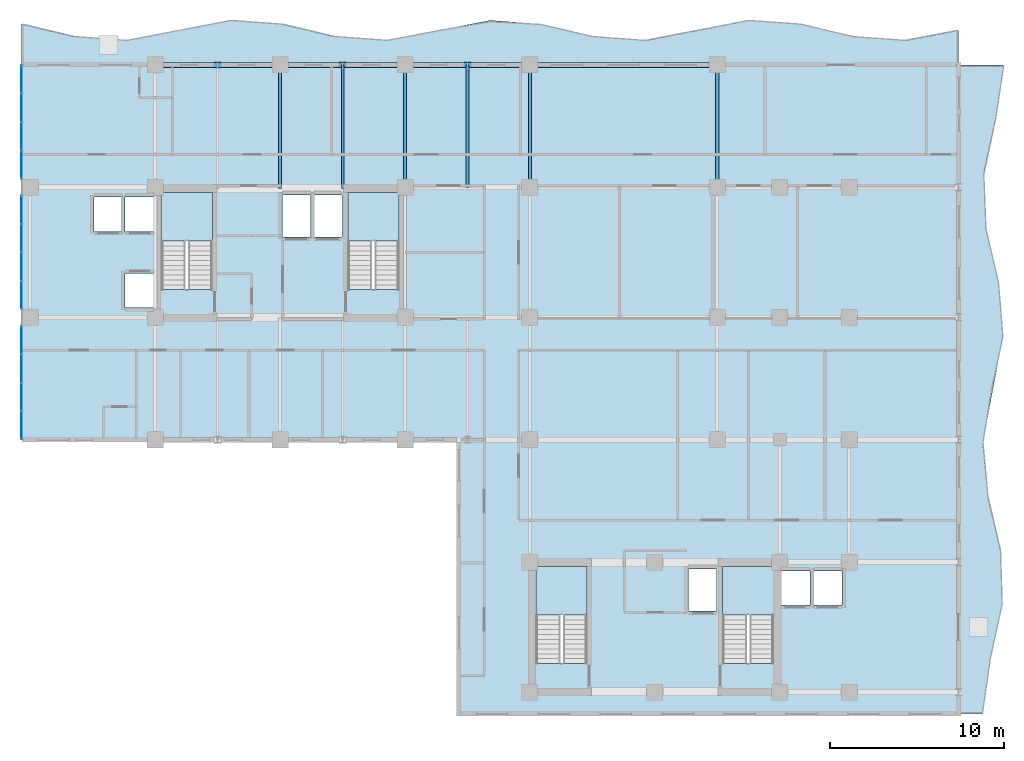
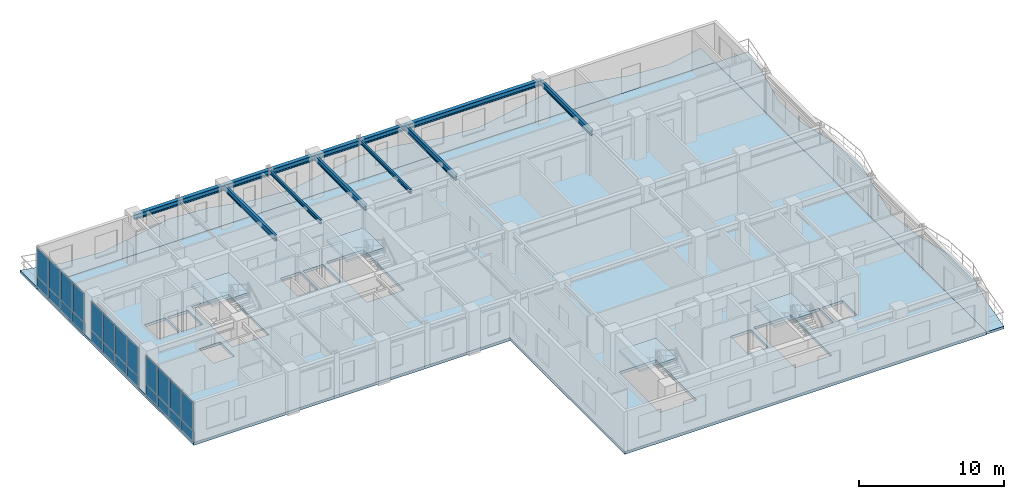
# One storey, part 11 of 20: 24 plates, 13 beams, 7 slabs, 7 elements without a shape of their own.
"""IFC4 building model written with IfcOpenShell, lengths in metres."""

import ifcopenshell
import ifcopenshell.guid

model = None  # the IFC model being written
_history = None  # IfcOwnerHistory: only IFC2X3 demands one
_inside = {}  # id of a spatial element -> (the spatial element, [elements in it])
_under = {}  # id of a project, library or spatial element -> (it, [spatial elements below it])
_declared = {}  # id of a project -> (the project, [libraries it declares])
_typed = {}  # id of a type object -> (the type object, [elements of that type])
_made_of = {}  # id of a material, layer set ... -> (it, [elements and type objects made of it])


def new_model(schema):
    """Start an empty IFC model of exactly this schema.

    Asked for "IFC4X3", IfcOpenShell would pick the latest addendum, in which some entities
    have other attributes; the version numbers below select the first issue.
    IFC2X3 requires an IfcOwnerHistory on every rooted entity: one is made here for all.
    """
    global model, _history
    if schema == "IFC4X3":
        model = ifcopenshell.file(schema_version=(4, 3, 0, 0))
    else:
        model = ifcopenshell.file(schema=schema)
    _inside.clear()
    _under.clear()
    _declared.clear()
    _typed.clear()
    _made_of.clear()
    _history = None
    if model.schema == "IFC2X3":
        org = make("IfcOrganization", Name="unknown")
        user = make(
            "IfcPersonAndOrganization",
            ThePerson=make("IfcPerson", FamilyName="unknown"),
            TheOrganization=org,
        )
        app = make(
            "IfcApplication",
            ApplicationDeveloper=org,
            Version="unknown",
            ApplicationFullName="unknown",
            ApplicationIdentifier="unknown",
        )
        _history = make(
            "IfcOwnerHistory",
            OwningUser=user,
            OwningApplication=app,
            ChangeAction="ADDED",
            CreationDate=0,
        )
    return model


def make(cls, **values):
    """One entity of the class cls with the attributes given. An attribute that is None is left unset."""
    return model.create_entity(
        cls, **{name: value for name, value in values.items() if value is not None}
    )


def rooted(cls, **values):
    """An entity with a GlobalId (a new one), such as an element, a storey or a relation."""
    return make(cls, GlobalId=ifcopenshell.guid.new(), OwnerHistory=_history, **values)


def si_unit(unit_type, name, prefix=None):
    """IfcSIUnit, for example si_unit("LENGTHUNIT", "METRE", prefix="MILLI")."""
    return make("IfcSIUnit", UnitType=unit_type, Prefix=prefix, Name=name)


def assignment(units):
    """IfcUnitAssignment: the units of a project."""
    return None if units is None else make("IfcUnitAssignment", Units=units)


def point(xyz):
    """IfcCartesianPoint."""
    return None if xyz is None else make("IfcCartesianPoint", Coordinates=xyz)


def direction(xyz):
    """IfcDirection."""
    return None if xyz is None else make("IfcDirection", DirectionRatios=xyz)


def frame(location, z_axis=None, x_axis=None):
    """IfcAxis2Placement3D, a coordinate frame: its origin and axes. An axis left out is left unset."""
    return make(
        "IfcAxis2Placement3D",
        Location=point(location),
        Axis=direction(z_axis),
        RefDirection=direction(x_axis),
    )


def frame_2d(location, x_axis=None):
    """IfcAxis2Placement2D, a coordinate frame in the plane: its origin and x axis."""
    return make(
        "IfcAxis2Placement2D", Location=point(location), RefDirection=direction(x_axis)
    )


def origin():
    """The frame at (0, 0, 0) with its axes left unset."""
    return frame((0.0, 0.0, 0.0))


def origin_2d():
    """The frame at (0, 0) in the plane with its x axis left unset."""
    return frame_2d((0.0, 0.0))


def place(relative_to, where):
    """IfcLocalPlacement: puts the frame where relative to a parent placement (None: the world)."""
    return make(
        "IfcLocalPlacement", PlacementRelTo=relative_to, RelativePlacement=where
    )


def context(
    kind, dimensions, precision=None, world=None, true_north=None, identifier=None
):
    """IfcGeometricRepresentationContext, for example the 3D "Model" context."""
    return make(
        "IfcGeometricRepresentationContext",
        ContextIdentifier=identifier,
        ContextType=kind,
        CoordinateSpaceDimension=dimensions,
        Precision=precision,
        WorldCoordinateSystem=world,
        TrueNorth=true_north,
    )


def subcontext(parent, identifier, kind, view, scale=None):
    """IfcGeometricRepresentationSubContext, for example "Body" below "Model"."""
    return make(
        "IfcGeometricRepresentationSubContext",
        ContextIdentifier=identifier,
        ContextType=kind,
        ParentContext=parent,
        TargetScale=scale,
        TargetView=view,
    )


def project(units=None, contexts=None):
    """IfcProject with its units and contexts."""
    return rooted(
        "IfcProject",
        Name="project",
        RepresentationContexts=contexts,
        UnitsInContext=assignment(units),
    )


def spatial(cls, under=None, at=None, **own):
    """A site, building, storey or space (cls), placed at a placement, below another one or the project."""
    s = rooted(cls, ObjectPlacement=at, **own)
    if under is not None:
        _under.setdefault(under.id(), (under, []))[1].append(s)
    return s


def polyline(points):
    """IfcPolyline through the points."""
    return make("IfcPolyline", Points=[point(p) for p in points])


def profile(cls, at=None, kind="AREA", **sizes):
    """A parametric profile (cls). Its sizes go by their IFC names, for example OverallWidth=200.0."""
    return make(cls, ProfileType=kind, Position=at, **sizes)


def rectangle(**sizes):
    """IfcRectangleProfileDef."""
    return profile("IfcRectangleProfileDef", **sizes)


def i_section(**sizes):
    """IfcIShapeProfileDef."""
    return profile("IfcIShapeProfileDef", **sizes)


def outline(outer, holes=None, kind="AREA"):
    """IfcArbitraryClosedProfileDef: a profile drawn as a closed curve; with holes, ...WithVoids."""
    if holes is None:
        return make("IfcArbitraryClosedProfileDef", ProfileType=kind, OuterCurve=outer)
    return make(
        "IfcArbitraryProfileDefWithVoids",
        ProfileType=kind,
        OuterCurve=outer,
        InnerCurves=holes,
    )


def extrude(swept, where, along, depth):
    """IfcExtrudedAreaSolid: the profile swept, set in the frame where, extruded along a direction by depth."""
    return make(
        "IfcExtrudedAreaSolid",
        SweptArea=swept,
        Position=where,
        ExtrudedDirection=direction(along),
        Depth=depth,
    )


def shape(context_of_items, identifier, shape_type, items):
    """IfcShapeRepresentation: the items that make up one representation, for example the "Body"."""
    return make(
        "IfcShapeRepresentation",
        ContextOfItems=context_of_items,
        RepresentationIdentifier=identifier,
        RepresentationType=shape_type,
        Items=items,
    )


def source(mapping_origin, context_of_items, identifier, shape_type, items):
    """IfcRepresentationMap: a shape defined once, which mapped items show again and again."""
    return make(
        "IfcRepresentationMap",
        MappingOrigin=mapping_origin,
        MappedRepresentation=shape(context_of_items, identifier, shape_type, items),
    )


def transform(
    local_origin,
    x_axis=None,
    y_axis=None,
    z_axis=None,
    scale=None,
    scale2=None,
    scale3=None,
    uniform=True,
):
    """IfcCartesianTransformationOperator3D, or its non-uniform kind. x_axis, y_axis, z_axis: its Axis1, 2, 3."""
    if uniform:
        return make(
            "IfcCartesianTransformationOperator3D",
            Axis1=direction(x_axis),
            Axis2=direction(y_axis),
            LocalOrigin=point(local_origin),
            Scale=scale,
            Axis3=direction(z_axis),
        )
    return make(
        "IfcCartesianTransformationOperator3DnonUniform",
        Axis1=direction(x_axis),
        Axis2=direction(y_axis),
        LocalOrigin=point(local_origin),
        Scale=scale,
        Axis3=direction(z_axis),
        Scale2=scale2,
        Scale3=scale3,
    )


def mapped(mapping_source, mapping_target):
    """IfcMappedItem: shows the shape of a source again, moved by a transform."""
    return make(
        "IfcMappedItem", MappingSource=mapping_source, MappingTarget=mapping_target
    )


def material(Name=None, Category=None):
    """IfcMaterial."""
    return make("IfcMaterial", Name=Name, Category=Category)


def layer(
    of_material, thickness, ventilated=None, Name=None, Category=None, Priority=None
):
    """IfcMaterialLayer: one layer of a wall or slab, of a material (None: an air gap)."""
    return make(
        "IfcMaterialLayer",
        Material=of_material,
        LayerThickness=thickness,
        IsVentilated=ventilated,
        Name=Name,
        Category=Category,
        Priority=Priority,
    )


def layer_set(layers, Name=None):
    """IfcMaterialLayerSet."""
    return make("IfcMaterialLayerSet", MaterialLayers=layers, LayerSetName=Name)


def material_profile(
    of_material, cross_section, Name=None, Category=None, Priority=None
):
    """IfcMaterialProfile: a cross section and its material."""
    return make(
        "IfcMaterialProfile",
        Name=Name,
        Material=of_material,
        Profile=cross_section,
        Priority=Priority,
        Category=Category,
    )


def profile_set(profiles, Name=None, composite=None):
    """IfcMaterialProfileSet."""
    return make(
        "IfcMaterialProfileSet",
        Name=Name,
        MaterialProfiles=profiles,
        CompositeProfile=composite,
    )


def made_of(thing, what):
    """Note that an element or type object is made of a material, layer set ...; save() writes the relation."""
    if what is not None:
        _made_of.setdefault(what.id(), (what, []))[1].append(thing)
    return thing


def type_object(cls, material=None, **own):
    """A type object (cls), such as IfcWallType, which elements share."""
    return made_of(rooted(cls, **own), material)


def element(
    cls,
    number,
    at=None,
    inside=None,
    cuts=None,
    type_object=None,
    material=None,
    context=None,
    identifier="Body",
    shape_type=None,
    held_by="IfcProductDefinitionShape",
    body=None,
    shapes=None,
    **own,
):
    """One element of the class cls, such as IfcWall. Its Tag is "e" and its number.

    at: its placement. inside: the storey or other place that contains it. cuts: it is an
    opening in that element (IfcRelVoidsElement). A single representation is given by context,
    identifier, shape_type and body (its items); several are given by shapes. held_by: the class
    of the entity that holds the representations. save() writes the other relations.
    """
    e = rooted(cls, Tag="e%d" % number, ObjectPlacement=at, **own)
    if body is not None:
        shapes = [shape(context, identifier, shape_type, body)]
    if shapes is not None:
        e.Representation = make(held_by, Representations=shapes)
    if inside is not None:
        _inside.setdefault(inside.id(), (inside, []))[1].append(e)
    if cuts is not None:
        rooted(
            "IfcRelVoidsElement", RelatingBuildingElement=cuts, RelatedOpeningElement=e
        )
    if type_object is not None:
        _typed.setdefault(type_object.id(), (type_object, []))[1].append(e)
    return made_of(e, material)


def aggregate(whole, parts):
    """IfcRelAggregates: a whole, such as a stair, and the parts it consists of."""
    return rooted("IfcRelAggregates", RelatingObject=whole, RelatedObjects=parts)


def save(model, path):
    """Write the relations noted so far, then the file.

    IfcRelAggregates (storeys below a building ...), IfcRelContainedInSpatialStructure (elements
    in a storey), IfcRelDefinesByType, IfcRelAssociatesMaterial and IfcRelDeclares: one each for
    every whole, place, type object, material and project.
    """
    for whole, parts in _under.values():
        aggregate(whole, parts)
    for where, things in _inside.values():
        rooted(
            "IfcRelContainedInSpatialStructure",
            RelatedElements=things,
            RelatingStructure=where,
        )
    for kind, things in _typed.values():
        rooted("IfcRelDefinesByType", RelatedObjects=things, RelatingType=kind)
    for what, things in _made_of.values():
        rooted("IfcRelAssociatesMaterial", RelatedObjects=things, RelatingMaterial=what)
    for by, libraries in _declared.values():
        rooted("IfcRelDeclares", RelatingContext=by, RelatedDefinitions=libraries)
    model.write(path)


model = new_model("IFC4")

# Units and contexts
model_context = context("Model", 3, precision=1e-05, world=origin(), true_north=direction((0.0, 1.0)))
body_context = subcontext(model_context, "Body", "Model", "MODEL_VIEW")
ifc_project = project(units=[si_unit("LENGTHUNIT", "METRE"), si_unit("AREAUNIT", "SQUARE_METRE"), si_unit("VOLUMEUNIT", "CUBIC_METRE"), si_unit("PLANEANGLEUNIT", "RADIAN"), si_unit("MASSUNIT", "GRAM", prefix="KILO")], contexts=[model_context])

# Site, building, storey
site_placement = place(None, origin())
site = spatial("IfcSite", under=ifc_project, at=site_placement, CompositionType="ELEMENT")
building_placement = place(site_placement, origin())
building = spatial("IfcBuilding", under=site, at=building_placement, Name="Kaliganga Portal Commons", CompositionType="ELEMENT")
storey_placement = place(building_placement, frame((0.0, 0.0, 201.800048828125)))
storey = spatial("IfcBuildingStorey", under=building, at=storey_placement, Name="L51", CompositionType="ELEMENT", Elevation=201.800048828125)

# Beams
ifc_material_1 = material(Name="Structural steel S355J2", Category="steel")
ifc_material_profile_1 = material_profile(ifc_material_1, i_section(OverallWidth=0.300048828125, OverallDepth=0.449951171875, WebThickness=0.013916015625, FlangeThickness=0.02587890625, FilletRadius=0.027099609375, at=origin_2d()), Name="HE 450 B")
ifc_profile_set_1 = profile_set([ifc_material_profile_1], Name="Structural steel S355J2 wide-flange")
beam_type_1 = type_object("IfcBeamType", Name="BM-SPAND-450", PredefinedType="SPANDREL", material=ifc_profile_set_1)
shared_shape_1 = source(origin(), body_context, "Body", "SweptSolid", [
    extrude(i_section(OverallWidth=0.300048828125, OverallDepth=0.449951171875, WebThickness=0.013916015625, FlangeThickness=0.02587890625, FilletRadius=0.027099609375, at=origin_2d()), origin(), (0.0, 0.0, 1.0), 3.60009765625),
])
for number, where, z_axis, x_axis, name in (
    (1, (14.39990234375, 43.199951171875, 3.244873046875), (1.0, 0.0, 0.0), (0.0, 1.0, 0.0), "BM SP L51 AN 1"),
    (2, (18.0, 43.199951171875, 3.244873046875), (1.0, 0.0, 0.0), (0.0, 1.0, 0.0), "BM SP L51 AN 2"),
    (3, (25.199951171875, 43.199951171875, 3.244873046875), (1.0, 0.0, 0.0), (0.0, 1.0, 0.0), "BM SP L51 AN 4"),
    (4, (32.39990234375, 43.199951171875, 3.244873046875), (1.0, 0.0, 0.0), (0.0, 1.0, 0.0), "BM SP L51 AN 6"),
):
    element("IfcBeam", number, at=place(storey_placement, frame(where, z_axis=z_axis, x_axis=x_axis)), inside=storey, type_object=beam_type_1, Name=name, PredefinedType="SPANDREL", context=body_context, shape_type="MappedRepresentation", body=[
        mapped(shared_shape_1, transform((0.0, 0.0, 0.0), x_axis=(1.0, 0.0, 0.0), y_axis=(0.0, 1.0, 0.0), z_axis=(0.0, 0.0, 1.0), scale=1.0)),
    ])
shared_shape_2 = source(origin(), body_context, "Body", "SweptSolid", [
    extrude(i_section(OverallWidth=0.300048828125, OverallDepth=0.449951171875, WebThickness=0.013916015625, FlangeThickness=0.02587890625, FilletRadius=0.027099609375, at=origin_2d()), origin(), (0.0, 0.0, 1.0), 3.599853515625),
])
for number, where, z_axis, x_axis, name in (
    (5, (21.60009765625, 43.199951171875, 3.244873046875), (1.0, 0.0, 0.0), (0.0, 1.0, 0.0), "BM SP L51 AN 3"),
    (6, (28.800048828125, 43.199951171875, 3.244873046875), (1.0, 0.0, 0.0), (0.0, 1.0, 0.0), "BM SP L51 AN 5"),
):
    element("IfcBeam", number, at=place(storey_placement, frame(where, z_axis=z_axis, x_axis=x_axis)), inside=storey, type_object=beam_type_1, Name=name, PredefinedType="SPANDREL", context=body_context, shape_type="MappedRepresentation", body=[
        mapped(shared_shape_2, transform((0.0, 0.0, 0.0), x_axis=(1.0, 0.0, 0.0), y_axis=(0.0, 1.0, 0.0), z_axis=(0.0, 0.0, 1.0), scale=1.0)),
    ])
shared_shape_3 = source(origin(), body_context, "Body", "SweptSolid", [
    extrude(i_section(OverallWidth=0.300048828125, OverallDepth=0.449951171875, WebThickness=0.013916015625, FlangeThickness=0.02587890625, FilletRadius=0.027099609375, at=origin_2d()), origin(), (0.0, 0.0, 1.0), 10.800048828125),
])
beam_1_placement = place(storey_placement, frame((36.0, 43.199951171875, 3.244873046875), z_axis=(1.0, 0.0, 0.0), x_axis=(0.0, 1.0, 0.0)))
element("IfcBeam", 7, at=beam_1_placement, inside=storey, type_object=beam_type_1, Name="BM SP L51 AN 7", PredefinedType="SPANDREL", context=body_context, shape_type="MappedRepresentation", body=[
    mapped(shared_shape_3, transform((0.0, 0.0, 0.0), x_axis=(1.0, 0.0, 0.0), y_axis=(0.0, 1.0, 0.0), z_axis=(0.0, 0.0, 1.0), scale=1.0)),
])
ifc_material_profile_2 = material_profile(ifc_material_1, i_section(OverallWidth=0.18994140625, OverallDepth=0.449951171875, WebThickness=0.009521484375, FlangeThickness=0.0146484375, FilletRadius=0.02099609375, at=origin_2d()), Name="IPE 450")
ifc_profile_set_2 = profile_set([ifc_material_profile_2], Name="Structural steel S355J2 wide-flange")
beam_type_2 = type_object("IfcBeamType", Name="BM-FLR-450", PredefinedType="BEAM", material=ifc_profile_set_2)
shared_shape_4 = source(origin(), body_context, "Body", "SweptSolid", [
    extrude(i_section(OverallWidth=0.18994140625, OverallDepth=0.449951171875, WebThickness=0.009521484375, FlangeThickness=0.0146484375, FilletRadius=0.02099609375, at=origin_2d()), origin(), (0.0, 0.0, 1.0), 7.050048828125),
])
for number, where, z_axis, x_axis, name in (
    (8, (28.800048828125, 36.14990234375, 3.244873046875), (0.0, 1.0, 0.0), (-1.0, 0.0, 0.0), "BM G L51 AN288"),
    (9, (36.0, 36.14990234375, 3.244873046875), (0.0, 1.0, 0.0), (-1.0, 0.0, 0.0), "BM G L51 AN360"),
    (10, (46.800048828125, 36.14990234375, 3.244873046875), (0.0, 1.0, 0.0), (-1.0, 0.0, 0.0), "BM G L51 AN468"),
):
    element("IfcBeam", number, at=place(storey_placement, frame(where, z_axis=z_axis, x_axis=x_axis)), inside=storey, type_object=beam_type_2, Name=name, PredefinedType="BEAM", context=body_context, shape_type="MappedRepresentation", body=[
        mapped(shared_shape_4, transform((0.0, 0.0, 0.0), x_axis=(1.0, 0.0, 0.0), y_axis=(0.0, 1.0, 0.0), z_axis=(0.0, 0.0, 1.0), scale=1.0)),
    ])
ifc_material_profile_3 = material_profile(ifc_material_1, i_section(OverallWidth=0.14990234375, OverallDepth=0.300048828125, WebThickness=0.007080078125, FlangeThickness=0.0107421875, FilletRadius=0.014892578125, at=origin_2d()), Name="IPE 300")
ifc_profile_set_3 = profile_set([ifc_material_profile_3], Name="Structural steel S355J2 wide-flange")
beam_type_3 = type_object("IfcBeamType", Name="BM-JST-300", PredefinedType="JOIST", material=ifc_profile_set_3)
shared_shape_5 = source(origin(), body_context, "Body", "SweptSolid", [
    extrude(i_section(OverallWidth=0.14990234375, OverallDepth=0.300048828125, WebThickness=0.007080078125, FlangeThickness=0.0107421875, FilletRadius=0.014892578125, at=origin_2d()), origin(), (0.0, 0.0, 1.0), 7.125),
])
beam_2_placement = place(storey_placement, frame((25.199951171875, 36.074951171875, 3.320068359375), z_axis=(0.0, 1.0, 0.0), x_axis=(-1.0, 0.0, 0.0)))
element("IfcBeam", 11, at=beam_2_placement, inside=storey, type_object=beam_type_3, Name="BM G L51 AN252", PredefinedType="JOIST", context=body_context, shape_type="MappedRepresentation", body=[
    mapped(shared_shape_5, transform((0.0, 0.0, 0.0), x_axis=(1.0, 0.0, 0.0), y_axis=(0.0, 1.0, 0.0), z_axis=(0.0, 0.0, 1.0), scale=1.0)),
])
shared_shape_6 = source(origin(), body_context, "Body", "SweptSolid", [
    extrude(i_section(OverallWidth=0.18994140625, OverallDepth=0.449951171875, WebThickness=0.009521484375, FlangeThickness=0.0146484375, FilletRadius=0.02099609375, at=origin_2d()), origin(), (0.0, 0.0, 1.0), 7.125),
])
beam_3_placement = place(storey_placement, frame((21.60009765625, 36.074951171875, 3.244873046875), z_axis=(0.0, 1.0, 0.0), x_axis=(-1.0, 0.0, 0.0)))
element("IfcBeam", 12, at=beam_3_placement, inside=storey, type_object=beam_type_2, Name="BM G L51 AN216", PredefinedType="BEAM", context=body_context, shape_type="MappedRepresentation", body=[
    mapped(shared_shape_6, transform((0.0, 0.0, 0.0), x_axis=(1.0, 0.0, 0.0), y_axis=(0.0, 1.0, 0.0), z_axis=(0.0, 0.0, 1.0), scale=1.0)),
])
shared_shape_7 = source(origin(), body_context, "Body", "SweptSolid", [
    extrude(i_section(OverallWidth=0.14990234375, OverallDepth=0.300048828125, WebThickness=0.007080078125, FlangeThickness=0.0107421875, FilletRadius=0.014892578125, at=origin_2d()), origin(), (0.0, 0.0, 1.0), 7.050048828125),
])
beam_4_placement = place(storey_placement, frame((32.39990234375, 36.14990234375, 3.320068359375), z_axis=(0.0, 1.0, 0.0), x_axis=(-1.0, 0.0, 0.0)))
element("IfcBeam", 13, at=beam_4_placement, inside=storey, type_object=beam_type_3, Name="BM G L51 AN324", PredefinedType="JOIST", context=body_context, shape_type="MappedRepresentation", body=[
    mapped(shared_shape_7, transform((0.0, 0.0, 0.0), x_axis=(1.0, 0.0, 0.0), y_axis=(0.0, 1.0, 0.0), z_axis=(0.0, 0.0, 1.0), scale=1.0)),
])

# Slabs
ifc_material_2 = material(Name="Concrete C40/50", Category="concrete")
ifc_layer_1 = layer(ifc_material_2, 0.2099609375)
ifc_layer_set_1 = layer_set([ifc_layer_1], Name="Concrete C40/50")
slab_type_1 = type_object("IfcSlabType", Name="SLB-BALC-210", PredefinedType="FLOOR", material=ifc_layer_set_1)
slab_1_placement = place(storey_placement, frame((0.0, 0.0, -0.2099609375)))
element("IfcSlab", 14, at=slab_1_placement, inside=storey, type_object=slab_type_1, Name="Scalloped Tree-Planter Balcony Slab L51 balc_north", PredefinedType="FLOOR", context=body_context, shape_type="SweptSolid", body=[
    extrude(outline(polyline([(60.699951171875, 43.199951171875), (60.699951171875, 45.19091796875), (57.699951171875, 44.61181640625), (54.699951171875, 44.8330078125), (51.699951171875, 45.549072265625), (48.699951171875, 45.770263671875), (45.699951171875, 45.19091796875), (42.699951171875, 44.61181640625), (39.699951171875, 44.8330078125), (36.699951171875, 45.549072265625), (33.699951171875, 45.770263671875), (30.699951171875, 45.19091796875), (27.699951171875, 44.61181640625), (24.699951171875, 44.8330078125), (21.699951171875, 45.549072265625), (18.699951171875, 45.770263671875), (15.699951171875, 45.19091796875), (12.699951171875, 44.61181640625), (9.699951171875, 44.8330078125), (6.699951171875, 45.549072265625), (6.699951171875, 43.199951171875), (60.699951171875, 43.199951171875)])), origin(), (0.0, 0.0, 1.0), 0.2099609375),
])
slab_2_placement = place(storey_placement, frame((0.0, 0.0, -0.2099609375)))
element("IfcSlab", 15, at=slab_2_placement, inside=storey, type_object=slab_type_1, Name="Scalloped Tree-Planter Balcony Slab L51 balc_east", PredefinedType="FLOOR", context=body_context, shape_type="SweptSolid", body=[
    extrude(outline(polyline([(60.699951171875, 5.800048828125), (62.08203125, 5.800048828125), (62.53125, 8.916748046875), (63.21630859375, 12.033203125), (63.126220703125, 15.14990234375), (62.393798828125, 18.2666015625), (62.10009765625, 21.38330078125), (62.67822265625, 24.5), (63.275146484375, 27.61669921875), (63.010009765625, 30.7333984375), (62.274169921875, 33.85009765625), (62.1533203125, 36.966796875), (62.825927734375, 40.083251953125), (63.299560546875, 43.199951171875), (60.699951171875, 43.199951171875), (60.699951171875, 5.800048828125)])), origin(), (0.0, 0.0, 1.0), 0.2099609375),
])

# Stair, slab
stair_type = type_object("IfcStairType", Name="ST-CORE-DOGLEG", PredefinedType="HALF_TURN_STAIR", material=ifc_material_2)
stair_1_placement = place(storey_placement, origin())
stair_1 = element("IfcStair", 16, at=stair_1_placement, inside=storey, type_object=stair_type, Name="L51 Protected Exit Stair ST-A1", PredefinedType="HALF_TURN_STAIR")
ifc_layer_2 = layer(ifc_material_2, 0.199951171875)
ifc_layer_set_2 = layer_set([ifc_layer_2], Name="Concrete C40/50")
slab_type_2 = type_object("IfcSlabType", Name="SLB-STAIR-LND", PredefinedType="LANDING", material=ifc_layer_set_2)
slab_3_placement = place(storey_placement, frame((0.0, 0.0, 1.64990234375)))
slab_3 = element("IfcSlab", 17, at=slab_3_placement, type_object=slab_type_2, Name="ST-A1 landing 1", PredefinedType="LANDING", context=body_context, shape_type="SweptSolid", body=[
    extrude(outline(polyline([(17.699951171875, 33.050048828125), (17.699951171875, 35.85009765625), (14.75, 35.85009765625), (14.75, 33.050048828125), (17.699951171875, 33.050048828125)])), origin(), (0.0, 0.0, 1.0), 0.199951171875),
])
aggregate(stair_1, [slab_3])

stair_2_placement = place(storey_placement, origin())
stair_2 = element("IfcStair", 18, at=stair_2_placement, inside=storey, type_object=stair_type, Name="L51 Protected Exit Stair ST-A2", PredefinedType="HALF_TURN_STAIR")
slab_4_placement = place(storey_placement, frame((0.0, 0.0, 1.64990234375)))
slab_4 = element("IfcSlab", 19, at=slab_4_placement, type_object=slab_type_2, Name="ST-A2 landing 1", PredefinedType="LANDING", context=body_context, shape_type="SweptSolid", body=[
    extrude(outline(polyline([(28.449951171875, 33.050048828125), (28.449951171875, 35.85009765625), (25.5, 35.85009765625), (25.5, 33.050048828125), (28.449951171875, 33.050048828125)])), origin(), (0.0, 0.0, 1.0), 0.199951171875),
])
aggregate(stair_2, [slab_4])

stair_3_placement = place(storey_placement, origin())
stair_3 = element("IfcStair", 20, at=stair_3_placement, inside=storey, type_object=stair_type, Name="L51 Protected Exit Stair ST-B1", PredefinedType="HALF_TURN_STAIR")
slab_5_placement = place(storey_placement, frame((0.0, 0.0, 1.64990234375)))
slab_5 = element("IfcSlab", 21, at=slab_5_placement, type_object=slab_type_2, Name="ST-B1 landing 1", PredefinedType="LANDING", context=body_context, shape_type="SweptSolid", body=[
    extrude(outline(polyline([(39.300048828125, 11.5), (39.300048828125, 14.300048828125), (36.35009765625, 14.300048828125), (36.35009765625, 11.5), (39.300048828125, 11.5)])), origin(), (0.0, 0.0, 1.0), 0.199951171875),
])
aggregate(stair_3, [slab_5])

stair_4_placement = place(storey_placement, origin())
stair_4 = element("IfcStair", 22, at=stair_4_placement, inside=storey, type_object=stair_type, Name="L51 Protected Exit Stair ST-B2", PredefinedType="HALF_TURN_STAIR")
slab_6_placement = place(storey_placement, frame((0.0, 0.0, 1.64990234375)))
slab_6 = element("IfcSlab", 23, at=slab_6_placement, type_object=slab_type_2, Name="ST-B2 landing 1", PredefinedType="LANDING", context=body_context, shape_type="SweptSolid", body=[
    extrude(outline(polyline([(50.050048828125, 11.5), (50.050048828125, 14.300048828125), (47.10009765625, 14.300048828125), (47.10009765625, 11.5), (50.050048828125, 11.5)])), origin(), (0.0, 0.0, 1.0), 0.199951171875),
])
aggregate(stair_4, [slab_6])

# Slab
ifc_layer_3 = layer(ifc_material_2, 0.22998046875)
ifc_layer_set_3 = layer_set([ifc_layer_3], Name="Concrete C40/50")
slab_type_3 = type_object("IfcSlabType", Name="SLB-TWR-230", PredefinedType="FLOOR", material=ifc_layer_set_3)
slab_7_placement = place(storey_placement, frame((0.0, 0.0, -0.22998046875)))
element("IfcSlab", 24, at=slab_7_placement, inside=storey, type_object=slab_type_3, Name="Structural Floor Slab L51", PredefinedType="FLOOR", context=body_context, shape_type="SweptSolid", body=[
    extrude(outline(polyline([(31.89990234375, 5.800048828125), (60.699951171875, 5.800048828125), (60.699951171875, 43.199951171875), (6.699951171875, 43.199951171875), (6.699951171875, 21.60009765625), (31.89990234375, 21.60009765625), (31.89990234375, 5.800048828125)]), holes=[polyline([(14.75, 30.25390625), (14.75, 35.85009765625), (17.699951171875, 35.85009765625), (17.699951171875, 30.25390625), (14.75, 30.25390625)]), polyline([(25.5, 30.25390625), (25.5, 35.85009765625), (28.449951171875, 35.85009765625), (28.449951171875, 30.25390625), (25.5, 30.25390625)]), polyline([(36.35009765625, 8.7041015625), (36.35009765625, 14.300048828125), (39.300048828125, 14.300048828125), (39.300048828125, 8.7041015625), (36.35009765625, 8.7041015625)]), polyline([(47.10009765625, 8.7041015625), (47.10009765625, 14.300048828125), (50.050048828125, 14.300048828125), (50.050048828125, 8.7041015625), (47.10009765625, 8.7041015625)]), polyline([(12.6650390625, 33.614990234375), (12.6650390625, 35.5849609375), (14.3349609375, 35.5849609375), (14.3349609375, 33.614990234375), (12.6650390625, 33.614990234375)]), polyline([(12.6650390625, 29.215087890625), (12.6650390625, 31.18505859375), (14.3349609375, 31.18505859375), (14.3349609375, 29.215087890625), (12.6650390625, 29.215087890625)]), polyline([(10.864990234375, 33.614990234375), (10.864990234375, 35.5849609375), (12.534912109375, 35.5849609375), (12.534912109375, 33.614990234375), (10.864990234375, 33.614990234375)]), polyline([(21.739990234375, 33.2900390625), (21.739990234375, 35.7099609375), (23.360107421875, 35.7099609375), (23.360107421875, 33.2900390625), (21.739990234375, 33.2900390625)]), polyline([(23.5400390625, 33.2900390625), (23.5400390625, 35.7099609375), (25.159912109375, 35.7099609375), (25.159912109375, 33.2900390625), (23.5400390625, 33.2900390625)]), polyline([(50.465087890625, 12.06494140625), (50.465087890625, 14.034912109375), (52.135009765625, 14.034912109375), (52.135009765625, 12.06494140625), (50.465087890625, 12.06494140625)]), polyline([(52.31494140625, 12.06494140625), (52.31494140625, 14.034912109375), (53.985107421875, 14.034912109375), (53.985107421875, 12.06494140625), (52.31494140625, 12.06494140625)]), polyline([(45.139892578125, 11.739990234375), (45.139892578125, 14.159912109375), (46.760009765625, 14.159912109375), (46.760009765625, 11.739990234375), (45.139892578125, 11.739990234375)])]), origin(), (0.0, 0.0, 1.0), 0.22998046875),
])

# Curtain wall, plates
ifc_material_3 = material(Name="Anodized Aluminium and Laminated Low-E Glass", Category="aluminium")
ifc_layer_4 = layer(ifc_material_3, 0.199951171875)
ifc_layer_set_4 = layer_set([ifc_layer_4], Name="Anodized Aluminium and Laminated Low-E Glass")
curtain_wall_type = type_object("IfcCurtainWallType", Name="CW-SYS-02", PredefinedType="NOTDEFINED", material=ifc_layer_set_4)
curtain_wall_1_placement = place(storey_placement, origin())
curtain_wall_1 = element("IfcCurtainWall", 25, at=curtain_wall_1_placement, inside=storey, type_object=curtain_wall_type, Name="CW 02 L51 P1E03S1", PredefinedType="NOTDEFINED")
ifc_material_4 = material(Name="Insulated Dark Spandrel Panel", Category="metal")
ifc_layer_5 = layer(ifc_material_4, 0.044921875)
ifc_layer_set_5 = layer_set([ifc_layer_5], Name="Insulated Dark Spandrel Panel")
plate_type_1 = type_object("IfcPlateType", Name="PLT-SPN-45", PredefinedType="SHEET", material=ifc_layer_set_5)
shared_shape_8 = source(origin(), body_context, "Body", "SweptSolid", [
    extrude(rectangle(XDim=1.603515625, YDim=0.044921875, at=origin_2d()), origin(), (0.0, 0.0, 1.0), 0.929931640625),
])
plate_1_placement = place(storey_placement, frame((6.699951171875, 42.37841796875, 0.009765625), z_axis=(0.0, 0.0, 1.0), x_axis=(0.0, -1.0, 0.0)))
plate_1 = element("IfcPlate", 26, at=plate_1_placement, type_object=plate_type_1, Name="CW:02:L51:P1E03S1 Spandrel 00", PredefinedType="SHEET", context=body_context, shape_type="MappedRepresentation", body=[
    mapped(shared_shape_8, transform((0.0, 0.0, 0.0), x_axis=(1.0, 0.0, 0.0), y_axis=(0.0, 1.0, 0.0), z_axis=(0.0, 0.0, 1.0), scale=1.0)),
])
plate_2_placement = place(storey_placement, frame((6.699951171875, 40.734619140625, 0.009765625), z_axis=(0.0, 0.0, 1.0), x_axis=(0.0, -1.0, 0.0)))
plate_2 = element("IfcPlate", 27, at=plate_2_placement, type_object=plate_type_1, Name="CW:02:L51:P1E03S1 Spandrel 01", PredefinedType="SHEET", context=body_context, shape_type="MappedRepresentation", body=[
    mapped(shared_shape_8, transform((0.0, 0.0, 0.0), x_axis=(1.0, 0.0, 0.0), y_axis=(0.0, 1.0, 0.0), z_axis=(0.0, 0.0, 1.0), scale=1.0)),
])
plate_3_placement = place(storey_placement, frame((6.699951171875, 39.09130859375, 0.009765625), z_axis=(0.0, 0.0, 1.0), x_axis=(0.0, -1.0, 0.0)))
plate_3 = element("IfcPlate", 28, at=plate_3_placement, type_object=plate_type_1, Name="CW:02:L51:P1E03S1 Spandrel 02", PredefinedType="SHEET", context=body_context, shape_type="MappedRepresentation", body=[
    mapped(shared_shape_8, transform((0.0, 0.0, 0.0), x_axis=(1.0, 0.0, 0.0), y_axis=(0.0, 1.0, 0.0), z_axis=(0.0, 0.0, 1.0), scale=1.0)),
])
plate_4_placement = place(storey_placement, frame((6.699951171875, 37.44775390625, 0.009765625), z_axis=(0.0, 0.0, 1.0), x_axis=(0.0, -1.0, 0.0)))
plate_4 = element("IfcPlate", 29, at=plate_4_placement, type_object=plate_type_1, Name="CW:02:L51:P1E03S1 Spandrel 03", PredefinedType="SHEET", context=body_context, shape_type="MappedRepresentation", body=[
    mapped(shared_shape_8, transform((0.0, 0.0, 0.0), x_axis=(1.0, 0.0, 0.0), y_axis=(0.0, 1.0, 0.0), z_axis=(0.0, 0.0, 1.0), scale=1.0)),
])

curtain_wall_2_placement = place(storey_placement, origin())
curtain_wall_2 = element("IfcCurtainWall", 30, at=curtain_wall_2_placement, inside=storey, type_object=curtain_wall_type, Name="CW 02 L51 P1E03S3", PredefinedType="NOTDEFINED")
plate_5_placement = place(storey_placement, frame((6.699951171875, 27.352294921875, 0.009765625), z_axis=(0.0, 0.0, 1.0), x_axis=(0.0, -1.0, 0.0)))
plate_5 = element("IfcPlate", 31, at=plate_5_placement, type_object=plate_type_1, Name="CW:02:L51:P1E03S3 Spandrel 00", PredefinedType="SHEET", context=body_context, shape_type="MappedRepresentation", body=[
    mapped(shared_shape_8, transform((0.0, 0.0, 0.0), x_axis=(1.0, 0.0, 0.0), y_axis=(0.0, 1.0, 0.0), z_axis=(0.0, 0.0, 1.0), scale=1.0)),
])
plate_6_placement = place(storey_placement, frame((6.699951171875, 25.708740234375, 0.009765625), z_axis=(0.0, 0.0, 1.0), x_axis=(0.0, -1.0, 0.0)))
plate_6 = element("IfcPlate", 32, at=plate_6_placement, type_object=plate_type_1, Name="CW:02:L51:P1E03S3 Spandrel 01", PredefinedType="SHEET", context=body_context, shape_type="MappedRepresentation", body=[
    mapped(shared_shape_8, transform((0.0, 0.0, 0.0), x_axis=(1.0, 0.0, 0.0), y_axis=(0.0, 1.0, 0.0), z_axis=(0.0, 0.0, 1.0), scale=1.0)),
])
plate_7_placement = place(storey_placement, frame((6.699951171875, 24.065185546875, 0.009765625), z_axis=(0.0, 0.0, 1.0), x_axis=(0.0, -1.0, 0.0)))
plate_7 = element("IfcPlate", 33, at=plate_7_placement, type_object=plate_type_1, Name="CW:02:L51:P1E03S3 Spandrel 02", PredefinedType="SHEET", context=body_context, shape_type="MappedRepresentation", body=[
    mapped(shared_shape_8, transform((0.0, 0.0, 0.0), x_axis=(1.0, 0.0, 0.0), y_axis=(0.0, 1.0, 0.0), z_axis=(0.0, 0.0, 1.0), scale=1.0)),
])
plate_8_placement = place(storey_placement, frame((6.699951171875, 22.421875, 0.009765625), z_axis=(0.0, 0.0, 1.0), x_axis=(0.0, -1.0, 0.0)))
plate_8 = element("IfcPlate", 34, at=plate_8_placement, type_object=plate_type_1, Name="CW:02:L51:P1E03S3 Spandrel 03", PredefinedType="SHEET", context=body_context, shape_type="MappedRepresentation", body=[
    mapped(shared_shape_8, transform((0.0, 0.0, 0.0), x_axis=(1.0, 0.0, 0.0), y_axis=(0.0, 1.0, 0.0), z_axis=(0.0, 0.0, 1.0), scale=1.0)),
])

# Plate
ifc_material_5 = material(Name="Dark Solar-Control Laminated Low-E IGU", Category="glass")
ifc_layer_6 = layer(ifc_material_5, 0.028076171875)
ifc_layer_set_6 = layer_set([ifc_layer_6], Name="Dark Solar-Control Laminated Low-E IGU")
plate_type_2 = type_object("IfcPlateType", Name="PLT-GLZ-28", PredefinedType="CURTAIN_PANEL", material=ifc_layer_set_6)
shared_shape_9 = source(origin(), body_context, "Body", "SweptSolid", [
    extrude(rectangle(XDim=1.603515625, YDim=0.028076171875, at=origin_2d()), origin(), (0.0, 0.0, 1.0), 2.419921875),
])
plate_9_placement = place(storey_placement, frame((6.699951171875, 42.37841796875, 0.9599609375), z_axis=(0.0, 0.0, 1.0), x_axis=(0.0, -1.0, 0.0)))
plate_9 = element("IfcPlate", 35, at=plate_9_placement, type_object=plate_type_2, Name="CW:02:L51:P1E03S1 Vision IGU 00", PredefinedType="CURTAIN_PANEL", context=body_context, shape_type="MappedRepresentation", body=[
    mapped(shared_shape_9, transform((0.0, 0.0, 0.0), x_axis=(1.0, 0.0, 0.0), y_axis=(0.0, 1.0, 0.0), z_axis=(0.0, 0.0, 1.0), scale=1.0)),
])

plate_10_placement = place(storey_placement, frame((6.699951171875, 40.734619140625, 0.9599609375), z_axis=(0.0, 0.0, 1.0), x_axis=(0.0, -1.0, 0.0)))
plate_10 = element("IfcPlate", 36, at=plate_10_placement, type_object=plate_type_2, Name="CW:02:L51:P1E03S1 Vision IGU 01", PredefinedType="CURTAIN_PANEL", context=body_context, shape_type="MappedRepresentation", body=[
    mapped(shared_shape_9, transform((0.0, 0.0, 0.0), x_axis=(1.0, 0.0, 0.0), y_axis=(0.0, 1.0, 0.0), z_axis=(0.0, 0.0, 1.0), scale=1.0)),
])

plate_11_placement = place(storey_placement, frame((6.699951171875, 39.09130859375, 0.9599609375), z_axis=(0.0, 0.0, 1.0), x_axis=(0.0, -1.0, 0.0)))
plate_11 = element("IfcPlate", 37, at=plate_11_placement, type_object=plate_type_2, Name="CW:02:L51:P1E03S1 Vision IGU 02", PredefinedType="CURTAIN_PANEL", context=body_context, shape_type="MappedRepresentation", body=[
    mapped(shared_shape_9, transform((0.0, 0.0, 0.0), x_axis=(1.0, 0.0, 0.0), y_axis=(0.0, 1.0, 0.0), z_axis=(0.0, 0.0, 1.0), scale=1.0)),
])

plate_12_placement = place(storey_placement, frame((6.699951171875, 37.44775390625, 0.9599609375), z_axis=(0.0, 0.0, 1.0), x_axis=(0.0, -1.0, 0.0)))
plate_12 = element("IfcPlate", 38, at=plate_12_placement, type_object=plate_type_2, Name="CW:02:L51:P1E03S1 Vision IGU 03", PredefinedType="CURTAIN_PANEL", context=body_context, shape_type="MappedRepresentation", body=[
    mapped(shared_shape_9, transform((0.0, 0.0, 0.0), x_axis=(1.0, 0.0, 0.0), y_axis=(0.0, 1.0, 0.0), z_axis=(0.0, 0.0, 1.0), scale=1.0)),
])

aggregate(curtain_wall_1, [plate_1, plate_9, plate_2, plate_10, plate_3, plate_11, plate_4, plate_12])

plate_13_placement = place(storey_placement, frame((6.699951171875, 27.352294921875, 0.9599609375), z_axis=(0.0, 0.0, 1.0), x_axis=(0.0, -1.0, 0.0)))
plate_13 = element("IfcPlate", 39, at=plate_13_placement, type_object=plate_type_2, Name="CW:02:L51:P1E03S3 Vision IGU 00", PredefinedType="CURTAIN_PANEL", context=body_context, shape_type="MappedRepresentation", body=[
    mapped(shared_shape_9, transform((0.0, 0.0, 0.0), x_axis=(1.0, 0.0, 0.0), y_axis=(0.0, 1.0, 0.0), z_axis=(0.0, 0.0, 1.0), scale=1.0)),
])

plate_14_placement = place(storey_placement, frame((6.699951171875, 25.708740234375, 0.9599609375), z_axis=(0.0, 0.0, 1.0), x_axis=(0.0, -1.0, 0.0)))
plate_14 = element("IfcPlate", 40, at=plate_14_placement, type_object=plate_type_2, Name="CW:02:L51:P1E03S3 Vision IGU 01", PredefinedType="CURTAIN_PANEL", context=body_context, shape_type="MappedRepresentation", body=[
    mapped(shared_shape_9, transform((0.0, 0.0, 0.0), x_axis=(1.0, 0.0, 0.0), y_axis=(0.0, 1.0, 0.0), z_axis=(0.0, 0.0, 1.0), scale=1.0)),
])

plate_15_placement = place(storey_placement, frame((6.699951171875, 24.065185546875, 0.9599609375), z_axis=(0.0, 0.0, 1.0), x_axis=(0.0, -1.0, 0.0)))
plate_15 = element("IfcPlate", 41, at=plate_15_placement, type_object=plate_type_2, Name="CW:02:L51:P1E03S3 Vision IGU 02", PredefinedType="CURTAIN_PANEL", context=body_context, shape_type="MappedRepresentation", body=[
    mapped(shared_shape_9, transform((0.0, 0.0, 0.0), x_axis=(1.0, 0.0, 0.0), y_axis=(0.0, 1.0, 0.0), z_axis=(0.0, 0.0, 1.0), scale=1.0)),
])

plate_16_placement = place(storey_placement, frame((6.699951171875, 22.421875, 0.9599609375), z_axis=(0.0, 0.0, 1.0), x_axis=(0.0, -1.0, 0.0)))
plate_16 = element("IfcPlate", 42, at=plate_16_placement, type_object=plate_type_2, Name="CW:02:L51:P1E03S3 Vision IGU 03", PredefinedType="CURTAIN_PANEL", context=body_context, shape_type="MappedRepresentation", body=[
    mapped(shared_shape_9, transform((0.0, 0.0, 0.0), x_axis=(1.0, 0.0, 0.0), y_axis=(0.0, 1.0, 0.0), z_axis=(0.0, 0.0, 1.0), scale=1.0)),
])

aggregate(curtain_wall_2, [plate_5, plate_13, plate_6, plate_14, plate_7, plate_15, plate_8, plate_16])

# Curtain wall, plates
curtain_wall_3_placement = place(storey_placement, origin())
curtain_wall_3 = element("IfcCurtainWall", 43, at=curtain_wall_3_placement, inside=storey, type_object=curtain_wall_type, Name="CW 02 L51 P1E03S2", PredefinedType="NOTDEFINED")
shared_shape_10 = source(origin(), body_context, "Body", "SweptSolid", [
    extrude(rectangle(XDim=1.596923828125, YDim=0.044921875, at=origin_2d()), origin(), (0.0, 0.0, 1.0), 0.929931640625),
])
plate_17_placement = place(storey_placement, frame((6.699951171875, 34.85546875, 0.009765625), z_axis=(0.0, 0.0, 1.0), x_axis=(0.0, -1.0, 0.0)))
plate_17 = element("IfcPlate", 44, at=plate_17_placement, type_object=plate_type_1, Name="CW:02:L51:P1E03S2 Spandrel 00", PredefinedType="SHEET", context=body_context, shape_type="MappedRepresentation", body=[
    mapped(shared_shape_10, transform((0.0, 0.0, 0.0), x_axis=(1.0, 0.0, 0.0), y_axis=(0.0, 1.0, 0.0), z_axis=(0.0, 0.0, 1.0), scale=1.0)),
])
plate_18_placement = place(storey_placement, frame((6.699951171875, 33.218505859375, 0.009765625), z_axis=(0.0, 0.0, 1.0), x_axis=(0.0, -1.0, 0.0)))
plate_18 = element("IfcPlate", 45, at=plate_18_placement, type_object=plate_type_1, Name="CW:02:L51:P1E03S2 Spandrel 01", PredefinedType="SHEET", context=body_context, shape_type="MappedRepresentation", body=[
    mapped(shared_shape_10, transform((0.0, 0.0, 0.0), x_axis=(1.0, 0.0, 0.0), y_axis=(0.0, 1.0, 0.0), z_axis=(0.0, 0.0, 1.0), scale=1.0)),
])
plate_19_placement = place(storey_placement, frame((6.699951171875, 31.58154296875, 0.009765625), z_axis=(0.0, 0.0, 1.0), x_axis=(0.0, -1.0, 0.0)))
plate_19 = element("IfcPlate", 46, at=plate_19_placement, type_object=plate_type_1, Name="CW:02:L51:P1E03S2 Spandrel 02", PredefinedType="SHEET", context=body_context, shape_type="MappedRepresentation", body=[
    mapped(shared_shape_10, transform((0.0, 0.0, 0.0), x_axis=(1.0, 0.0, 0.0), y_axis=(0.0, 1.0, 0.0), z_axis=(0.0, 0.0, 1.0), scale=1.0)),
])
plate_20_placement = place(storey_placement, frame((6.699951171875, 29.944580078125, 0.009765625), z_axis=(0.0, 0.0, 1.0), x_axis=(0.0, -1.0, 0.0)))
plate_20 = element("IfcPlate", 47, at=plate_20_placement, type_object=plate_type_1, Name="CW:02:L51:P1E03S2 Spandrel 03", PredefinedType="SHEET", context=body_context, shape_type="MappedRepresentation", body=[
    mapped(shared_shape_10, transform((0.0, 0.0, 0.0), x_axis=(1.0, 0.0, 0.0), y_axis=(0.0, 1.0, 0.0), z_axis=(0.0, 0.0, 1.0), scale=1.0)),
])
shared_shape_11 = source(origin(), body_context, "Body", "SweptSolid", [
    extrude(rectangle(XDim=1.596923828125, YDim=0.028076171875, at=origin_2d()), origin(), (0.0, 0.0, 1.0), 2.419921875),
])
plate_21_placement = place(storey_placement, frame((6.699951171875, 34.85546875, 0.9599609375), z_axis=(0.0, 0.0, 1.0), x_axis=(0.0, -1.0, 0.0)))
plate_21 = element("IfcPlate", 48, at=plate_21_placement, type_object=plate_type_2, Name="CW:02:L51:P1E03S2 Vision IGU 00", PredefinedType="CURTAIN_PANEL", context=body_context, shape_type="MappedRepresentation", body=[
    mapped(shared_shape_11, transform((0.0, 0.0, 0.0), x_axis=(1.0, 0.0, 0.0), y_axis=(0.0, 1.0, 0.0), z_axis=(0.0, 0.0, 1.0), scale=1.0)),
])
plate_22_placement = place(storey_placement, frame((6.699951171875, 33.218505859375, 0.9599609375), z_axis=(0.0, 0.0, 1.0), x_axis=(0.0, -1.0, 0.0)))
plate_22 = element("IfcPlate", 49, at=plate_22_placement, type_object=plate_type_2, Name="CW:02:L51:P1E03S2 Vision IGU 01", PredefinedType="CURTAIN_PANEL", context=body_context, shape_type="MappedRepresentation", body=[
    mapped(shared_shape_11, transform((0.0, 0.0, 0.0), x_axis=(1.0, 0.0, 0.0), y_axis=(0.0, 1.0, 0.0), z_axis=(0.0, 0.0, 1.0), scale=1.0)),
])
plate_23_placement = place(storey_placement, frame((6.699951171875, 31.58154296875, 0.9599609375), z_axis=(0.0, 0.0, 1.0), x_axis=(0.0, -1.0, 0.0)))
plate_23 = element("IfcPlate", 50, at=plate_23_placement, type_object=plate_type_2, Name="CW:02:L51:P1E03S2 Vision IGU 02", PredefinedType="CURTAIN_PANEL", context=body_context, shape_type="MappedRepresentation", body=[
    mapped(shared_shape_11, transform((0.0, 0.0, 0.0), x_axis=(1.0, 0.0, 0.0), y_axis=(0.0, 1.0, 0.0), z_axis=(0.0, 0.0, 1.0), scale=1.0)),
])
plate_24_placement = place(storey_placement, frame((6.699951171875, 29.944580078125, 0.9599609375), z_axis=(0.0, 0.0, 1.0), x_axis=(0.0, -1.0, 0.0)))
plate_24 = element("IfcPlate", 51, at=plate_24_placement, type_object=plate_type_2, Name="CW:02:L51:P1E03S2 Vision IGU 03", PredefinedType="CURTAIN_PANEL", context=body_context, shape_type="MappedRepresentation", body=[
    mapped(shared_shape_11, transform((0.0, 0.0, 0.0), x_axis=(1.0, 0.0, 0.0), y_axis=(0.0, 1.0, 0.0), z_axis=(0.0, 0.0, 1.0), scale=1.0)),
])
aggregate(curtain_wall_3, [plate_17, plate_21, plate_18, plate_22, plate_19, plate_23, plate_20, plate_24])

save(model, "model.ifc")
